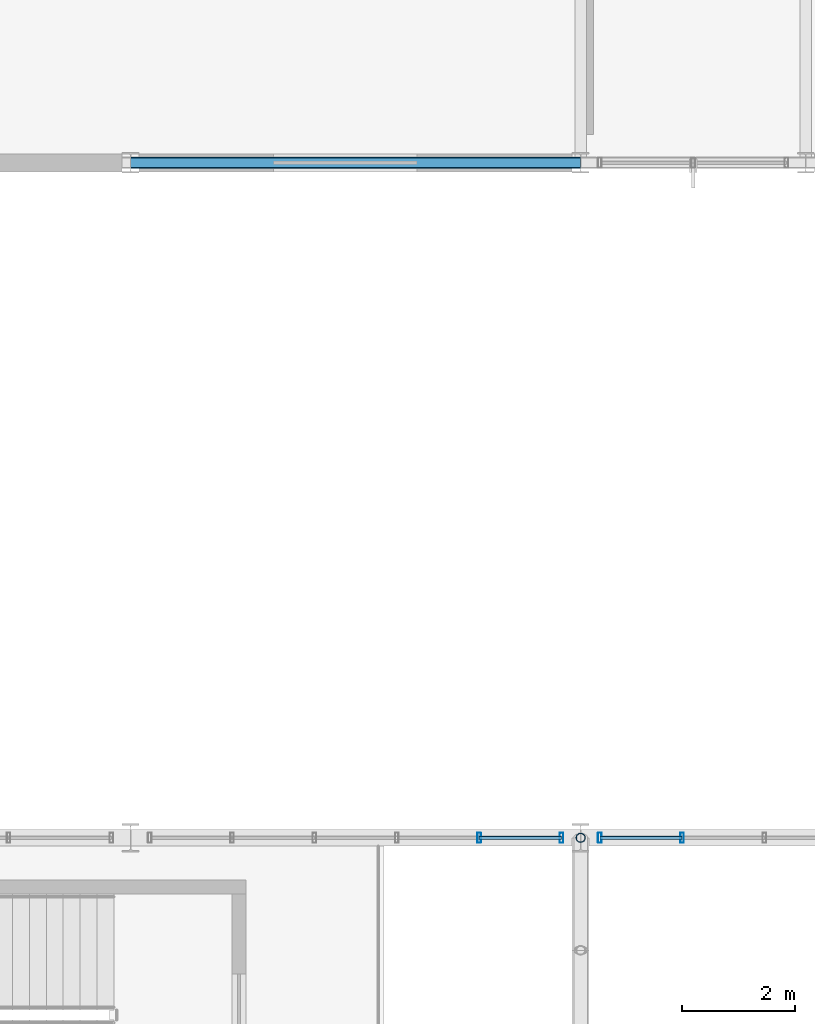
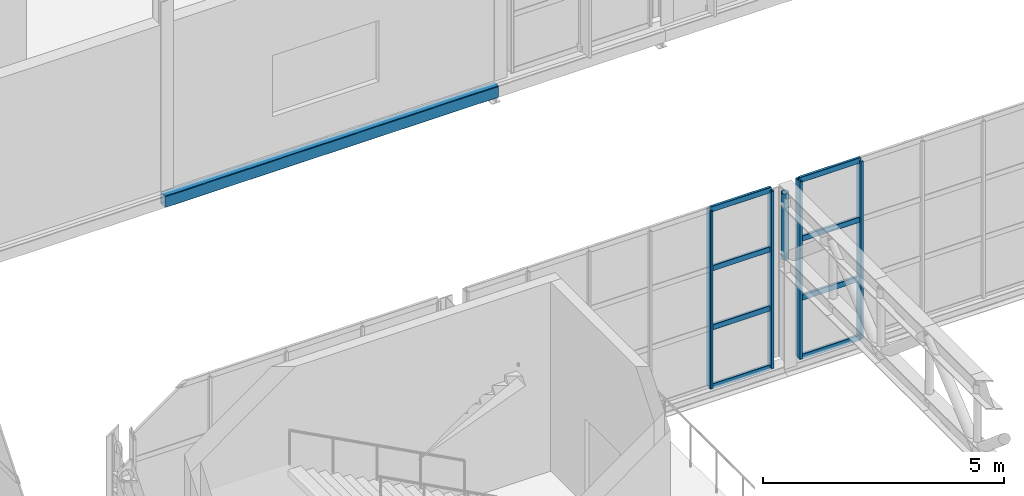
# One storey, part 54 of 143: 13 members, 1 beam, 2 elements without a shape of their own.
"""IFC4 building model written with IfcOpenShell, lengths in metres."""

from ifc_helpers import new_model, si_unit, derived_unit, direction, frame, origin, origin_2d, place, context, subcontext, project, spatial, hollow_rectangle, hollow_circle, extrude, material, material_profile, profile_set, type_object, element, aggregate, save


model = new_model("IFC4")

# Units and contexts
model_context = context("Model", 3, precision=1e-05, world=origin(), true_north=direction((0.0, 1.0)))
body_context = subcontext(model_context, "Body", "Model", "MODEL_VIEW")
ifc_project = project(units=[si_unit("LENGTHUNIT", "METRE"), si_unit("AREAUNIT", "SQUARE_METRE"), si_unit("VOLUMEUNIT", "CUBIC_METRE"), si_unit("PLANEANGLEUNIT", "RADIAN"), si_unit("MASSUNIT", "GRAM", prefix="KILO"), derived_unit("THERMALTRANSMITTANCEUNIT", [(si_unit("POWERUNIT", "WATT"), 1), (si_unit("LENGTHUNIT", "METRE"), -2), (si_unit("THERMODYNAMICTEMPERATUREUNIT", "KELVIN"), -1)])], contexts=[model_context])

# Site, building, storey
site_placement = place(None, origin())
site = spatial("IfcSite", under=ifc_project, at=site_placement, CompositionType="ELEMENT")
building_placement = place(site_placement, origin())
building = spatial("IfcBuilding", under=site, at=building_placement, Name="Keldorne Ridge Multi-Sports Centre", CompositionType="ELEMENT")
storey_placement = place(building_placement, frame((0.0, 0.0, 4.800048828125)))
storey = spatial("IfcBuildingStorey", under=building, at=storey_placement, Name="L01", CompositionType="ELEMENT", Elevation=4.800048828125)

# Beam
ifc_material_1 = material(Name="Steel S355", Category="steel")
ifc_material_profile_1 = material_profile(ifc_material_1, hollow_rectangle(XDim=0.199951171875, YDim=0.300048828125, WallThickness=0.012451171875, InnerFilletRadius=0.012451171875, OuterFilletRadius=0.02490234375, at=origin_2d()), Name="RHS 300x200x12.5")
ifc_profile_set_1 = profile_set([ifc_material_profile_1], Name="Steel S355")
beam_type = type_object("IfcBeamType", Name="BM-SP-01", PredefinedType="SPANDREL", material=ifc_profile_set_1)
beam_placement = place(storey_placement, frame((112.0, 66.0, -0.3701171875), z_axis=(1.0, 0.0, 0.0), x_axis=(0.0, 1.0, 0.0)))
element("IfcBeam", 1, at=beam_placement, inside=storey, type_object=beam_type, Name="L01 primary beam 2.66", PredefinedType="SPANDREL", context=body_context, shape_type="SweptSolid", body=[
    extrude(hollow_rectangle(XDim=0.199951171875, YDim=0.300048828125, WallThickness=0.012451171875, InnerFilletRadius=0.012451171875, OuterFilletRadius=0.02490234375, at=origin_2d()), origin(), (0.0, 0.0, 1.0), 8.0),
])

# Curtain wall, members
ifc_material_2 = material(Name="Anodized aluminium", Category="aluminium")
curtain_wall_type_1 = type_object("IfcCurtainWallType", Name="CW-CW-01", PredefinedType="NOTDEFINED", material=ifc_material_2)
curtain_wall_1_placement = place(storey_placement, origin())
curtain_wall_1 = element("IfcCurtainWall", 2, at=curtain_wall_1_placement, inside=storey, type_object=curtain_wall_type_1, Name="Lower Courts north clerestory 097", PredefinedType="NOTDEFINED")
ifc_material_profile_2 = material_profile(ifc_material_2, hollow_rectangle(XDim=0.06494140625, YDim=0.179931640625, WallThickness=0.00439453125, InnerFilletRadius=0.00439453125, OuterFilletRadius=0.009033203125, at=origin_2d()), Name="ALU MULLION 180x65x4.5")
ifc_profile_set_2 = profile_set([ifc_material_profile_2], Name="Anodized aluminium")
member_type_1 = type_object("IfcMemberType", Name="MEM-ML-01", PredefinedType="MULLION", material=ifc_profile_set_2)
member_1_placement = place(storey_placement, frame((119.659912109375, 54.0, 0.0), z_axis=(0.0, 0.0, 1.0), x_axis=(1.0, 0.0, 0.0)))
member_1 = element("IfcMember", 3, at=member_1_placement, type_object=member_type_1, Name="CW-097 vertical mullion 1", PredefinedType="MULLION", context=body_context, shape_type="SweptSolid", body=[
    extrude(hollow_rectangle(XDim=0.06494140625, YDim=0.179931640625, WallThickness=0.00439453125, InnerFilletRadius=0.00439453125, OuterFilletRadius=0.009033203125, at=origin_2d()), origin(), (0.0, 0.0, 1.0), 4.5),
])
member_2_placement = place(storey_placement, frame((118.196044921875, 54.0, 0.0), z_axis=(0.0, 0.0, 1.0), x_axis=(1.0, 0.0, 0.0)))
member_2 = element("IfcMember", 4, at=member_2_placement, type_object=member_type_1, Name="CW-097 vertical mullion 2", PredefinedType="MULLION", context=body_context, shape_type="SweptSolid", body=[
    extrude(hollow_rectangle(XDim=0.06494140625, YDim=0.179931640625, WallThickness=0.00439453125, InnerFilletRadius=0.00439453125, OuterFilletRadius=0.009033203125, at=origin_2d()), origin(), (0.0, 0.0, 1.0), 4.5),
])

curtain_wall_type_2 = type_object("IfcCurtainWallType", Name="CW-CW-07", PredefinedType="NOTDEFINED", material=ifc_material_2)
curtain_wall_2_placement = place(storey_placement, origin())
curtain_wall_2 = element("IfcCurtainWall", 5, at=curtain_wall_2_placement, inside=storey, type_object=curtain_wall_type_2, Name="Lower Courts north clerestory 103", PredefinedType="NOTDEFINED")
member_3_placement = place(storey_placement, frame((121.803955078125, 54.0, 0.0), z_axis=(0.0, 0.0, 1.0), x_axis=(1.0, 0.0, 0.0)))
member_3 = element("IfcMember", 6, at=member_3_placement, type_object=member_type_1, Name="CW-103 vertical mullion 5", PredefinedType="MULLION", context=body_context, shape_type="SweptSolid", body=[
    extrude(hollow_rectangle(XDim=0.06494140625, YDim=0.179931640625, WallThickness=0.00439453125, InnerFilletRadius=0.00439453125, OuterFilletRadius=0.009033203125, at=origin_2d()), origin(), (0.0, 0.0, 1.0), 4.5),
])
member_4_placement = place(storey_placement, frame((120.340087890625, 54.0, 0.0), z_axis=(0.0, 0.0, 1.0), x_axis=(1.0, 0.0, 0.0)))
member_4 = element("IfcMember", 7, at=member_4_placement, type_object=member_type_1, Name="CW-103 vertical mullion 6", PredefinedType="MULLION", context=body_context, shape_type="SweptSolid", body=[
    extrude(hollow_rectangle(XDim=0.06494140625, YDim=0.179931640625, WallThickness=0.00439453125, InnerFilletRadius=0.00439453125, OuterFilletRadius=0.009033203125, at=origin_2d()), origin(), (0.0, 0.0, 1.0), 4.5),
])

# Member
ifc_material_profile_3 = material_profile(ifc_material_2, hollow_rectangle(XDim=0.06494140625, YDim=0.139892578125, WallThickness=0.00439453125, InnerFilletRadius=0.00439453125, OuterFilletRadius=0.009033203125, at=origin_2d()), Name="ALU TRANSOM 140x65x4.5")
ifc_profile_set_3 = profile_set([ifc_material_profile_3], Name="Anodized aluminium")
member_type_2 = type_object("IfcMemberType", Name="MEM-TR-01", PredefinedType="USERDEFINED", material=ifc_profile_set_3)
member_5_placement = place(storey_placement, frame((119.659912109375, 54.0, 0.0), z_axis=(-1.0, 0.0, 0.0), x_axis=(0.0, -1.0, 0.0)))
member_5 = element("IfcMember", 8, at=member_5_placement, type_object=member_type_2, Name="CW-097 transom 1.1", ObjectType="TRANSOM", PredefinedType="USERDEFINED", context=body_context, shape_type="SweptSolid", body=[
    extrude(hollow_rectangle(XDim=0.06494140625, YDim=0.139892578125, WallThickness=0.00439453125, InnerFilletRadius=0.00439453125, OuterFilletRadius=0.009033203125, at=origin_2d()), origin(), (0.0, 0.0, 1.0), 1.4638671875),
])

member_6_placement = place(storey_placement, frame((119.659912109375, 54.0, 1.5), z_axis=(-1.0, 0.0, 0.0), x_axis=(0.0, -1.0, 0.0)))
member_6 = element("IfcMember", 9, at=member_6_placement, type_object=member_type_2, Name="CW-097 transom 1.2", ObjectType="TRANSOM", PredefinedType="USERDEFINED", context=body_context, shape_type="SweptSolid", body=[
    extrude(hollow_rectangle(XDim=0.06494140625, YDim=0.139892578125, WallThickness=0.00439453125, InnerFilletRadius=0.00439453125, OuterFilletRadius=0.009033203125, at=origin_2d()), origin(), (0.0, 0.0, 1.0), 1.4638671875),
])

member_7_placement = place(storey_placement, frame((119.659912109375, 54.0, 3.0), z_axis=(-1.0, 0.0, 0.0), x_axis=(0.0, -1.0, 0.0)))
member_7 = element("IfcMember", 10, at=member_7_placement, type_object=member_type_2, Name="CW-097 transom 1.3", ObjectType="TRANSOM", PredefinedType="USERDEFINED", context=body_context, shape_type="SweptSolid", body=[
    extrude(hollow_rectangle(XDim=0.06494140625, YDim=0.139892578125, WallThickness=0.00439453125, InnerFilletRadius=0.00439453125, OuterFilletRadius=0.009033203125, at=origin_2d()), origin(), (0.0, 0.0, 1.0), 1.4638671875),
])

member_8_placement = place(storey_placement, frame((119.659912109375, 54.0, 4.5), z_axis=(-1.0, 0.0, 0.0), x_axis=(0.0, -1.0, 0.0)))
member_8 = element("IfcMember", 11, at=member_8_placement, type_object=member_type_2, Name="CW-097 transom 1.4", ObjectType="TRANSOM", PredefinedType="USERDEFINED", context=body_context, shape_type="SweptSolid", body=[
    extrude(hollow_rectangle(XDim=0.06494140625, YDim=0.139892578125, WallThickness=0.00439453125, InnerFilletRadius=0.00439453125, OuterFilletRadius=0.009033203125, at=origin_2d()), origin(), (0.0, 0.0, 1.0), 1.4638671875),
])

aggregate(curtain_wall_1, [member_1, member_2, member_5, member_6, member_7, member_8])

member_9_placement = place(storey_placement, frame((121.803955078125, 54.0, 0.0), z_axis=(-1.0, 0.0, 0.0), x_axis=(0.0, -1.0, 0.0)))
member_9 = element("IfcMember", 12, at=member_9_placement, type_object=member_type_2, Name="CW-103 transom 5.1", ObjectType="TRANSOM", PredefinedType="USERDEFINED", context=body_context, shape_type="SweptSolid", body=[
    extrude(hollow_rectangle(XDim=0.06494140625, YDim=0.139892578125, WallThickness=0.00439453125, InnerFilletRadius=0.00439453125, OuterFilletRadius=0.009033203125, at=origin_2d()), origin(), (0.0, 0.0, 1.0), 1.4638671875),
])

member_10_placement = place(storey_placement, frame((121.803955078125, 54.0, 1.5), z_axis=(-1.0, 0.0, 0.0), x_axis=(0.0, -1.0, 0.0)))
member_10 = element("IfcMember", 13, at=member_10_placement, type_object=member_type_2, Name="CW-103 transom 5.2", ObjectType="TRANSOM", PredefinedType="USERDEFINED", context=body_context, shape_type="SweptSolid", body=[
    extrude(hollow_rectangle(XDim=0.06494140625, YDim=0.139892578125, WallThickness=0.00439453125, InnerFilletRadius=0.00439453125, OuterFilletRadius=0.009033203125, at=origin_2d()), origin(), (0.0, 0.0, 1.0), 1.4638671875),
])

member_11_placement = place(storey_placement, frame((121.803955078125, 54.0, 3.0), z_axis=(-1.0, 0.0, 0.0), x_axis=(0.0, -1.0, 0.0)))
member_11 = element("IfcMember", 14, at=member_11_placement, type_object=member_type_2, Name="CW-103 transom 5.3", ObjectType="TRANSOM", PredefinedType="USERDEFINED", context=body_context, shape_type="SweptSolid", body=[
    extrude(hollow_rectangle(XDim=0.06494140625, YDim=0.139892578125, WallThickness=0.00439453125, InnerFilletRadius=0.00439453125, OuterFilletRadius=0.009033203125, at=origin_2d()), origin(), (0.0, 0.0, 1.0), 1.4638671875),
])

member_12_placement = place(storey_placement, frame((121.803955078125, 54.0, 4.5), z_axis=(-1.0, 0.0, 0.0), x_axis=(0.0, -1.0, 0.0)))
member_12 = element("IfcMember", 15, at=member_12_placement, type_object=member_type_2, Name="CW-103 transom 5.4", ObjectType="TRANSOM", PredefinedType="USERDEFINED", context=body_context, shape_type="SweptSolid", body=[
    extrude(hollow_rectangle(XDim=0.06494140625, YDim=0.139892578125, WallThickness=0.00439453125, InnerFilletRadius=0.00439453125, OuterFilletRadius=0.009033203125, at=origin_2d()), origin(), (0.0, 0.0, 1.0), 1.4638671875),
])

aggregate(curtain_wall_2, [member_3, member_4, member_9, member_10, member_11, member_12])

ifc_material_profile_4 = material_profile(ifc_material_1, hollow_circle(Radius=0.084228515625, WallThickness=0.010009765625, at=origin_2d()), Name="CHS 168.3x10")
ifc_profile_set_4 = profile_set([ifc_material_profile_4], Name="Steel S355")
member_type_3 = type_object("IfcMemberType", Name="MEM-TV-01", PredefinedType="STRUT", material=ifc_profile_set_4)
member_13_placement = place(storey_placement, frame((120.0, 54.0, 2.6298828125), z_axis=(0.0, 0.0, 1.0), x_axis=(1.0, 0.0, 0.0)))
element("IfcMember", 16, at=member_13_placement, inside=storey, type_object=member_type_3, Name="Stacked Courts Warren TRUSS WT-L02-03 end post 24", PredefinedType="STRUT", context=body_context, shape_type="SweptSolid", body=[
    extrude(hollow_circle(Radius=0.084228515625, WallThickness=0.010009765625, at=origin_2d()), origin(), (0.0, 0.0, 1.0), 1.68017578125),
])

save(model, "model.ifc")
